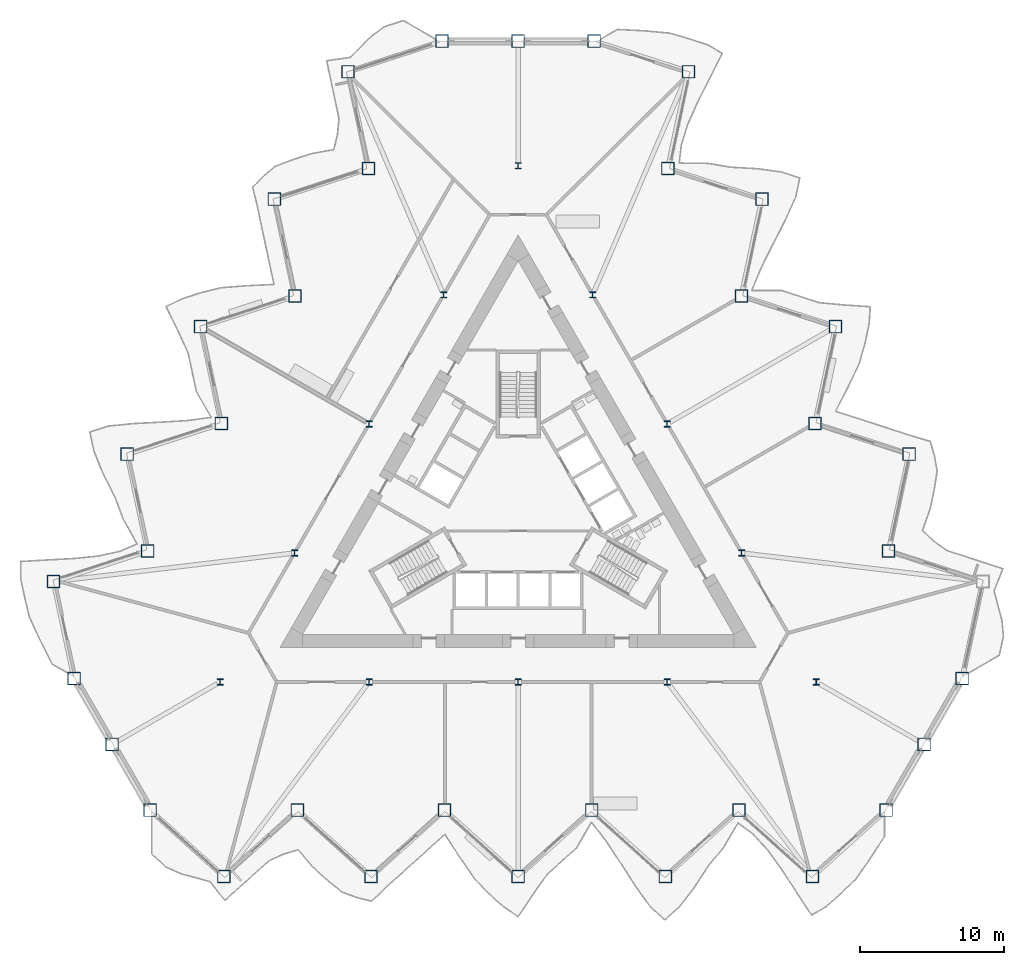
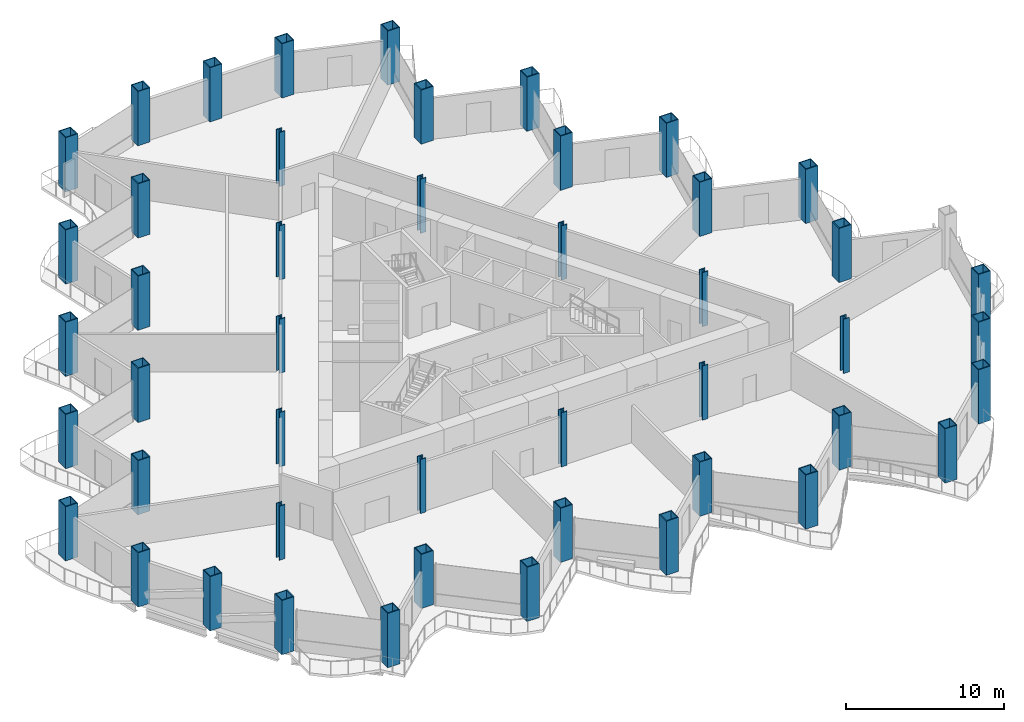
# One storey, part 1 of 21: 47 columns.
"""IFC4 building model written with IfcOpenShell, lengths in metres."""

from ifc_helpers import new_model, si_unit, direction, frame, origin, origin_2d, place, context, subcontext, project, spatial, hollow_rectangle, i_section, extrude, material, material_profile, profile_set, type_object, element, save


model = new_model("IFC4")

# Units and contexts
model_context = context("Model", 3, precision=1e-05, world=origin(), true_north=direction((0.0, 1.0)))
body_context = subcontext(model_context, "Body", "Model", "MODEL_VIEW")
ifc_project = project(units=[si_unit("LENGTHUNIT", "METRE"), si_unit("AREAUNIT", "SQUARE_METRE"), si_unit("VOLUMEUNIT", "CUBIC_METRE"), si_unit("PLANEANGLEUNIT", "RADIAN"), si_unit("MASSUNIT", "GRAM", prefix="KILO")], contexts=[model_context])

# Site, building, storey
site_placement = place(None, origin())
site = spatial("IfcSite", under=ifc_project, at=site_placement, CompositionType="ELEMENT")
building_placement = place(site_placement, origin())
building = spatial("IfcBuilding", under=site, at=building_placement, Name="Cormorant Prow Tower", CompositionType="ELEMENT")
storey_placement = place(building_placement, frame((0.0, 0.0, 150.0)))
storey = spatial("IfcBuildingStorey", under=building, at=storey_placement, Name="L32", CompositionType="ELEMENT", Elevation=150.0)

# Columns
ifc_material_1 = material(Name="Structural steel ASTM A572 Gr 50", Category="steel")
ifc_material_profile_1 = material_profile(ifc_material_1, hollow_rectangle(XDim=0.89990234375, YDim=0.89990234375, WallThickness=0.06005859375, at=origin_2d()), Name="Box 900x900x60")
ifc_profile_set_1 = profile_set([ifc_material_profile_1], Name="Structural steel ASTM A572 Gr 50")
column_type_1 = type_object("IfcColumnType", Name="Perimeter box column 900x900x60", PredefinedType="COLUMN", material=ifc_profile_set_1)
for number, where, z_axis, x_axis, name in (
    (1, (-25.499755859375, -20.80712890625, 0.0), (0.0, 0.0, 1.0), (1.0, 0.0, 0.0), "Perimeter column C3 at S00 L32"),
    (2, (-20.399658203125, -25.399169921875, 0.0), (0.0, 0.0, 1.0), (1.0, 0.0, 0.0), "Perimeter column C3 at S01 L32"),
    (3, (-15.2998046875, -20.80712890625, 0.0), (0.0, 0.0, 1.0), (1.0, 0.0, 0.0), "Perimeter column C3 at S02 L32"),
    (4, (-10.199951171875, -25.399169921875, 0.0), (0.0, 0.0, 1.0), (1.0, 0.0, 0.0), "Perimeter column C3 at S03 L32"),
    (5, (-5.099853515625, -20.80712890625, 0.0), (0.0, 0.0, 1.0), (1.0, 0.0, 0.0), "Perimeter column C3 at S04 L32"),
    (6, (0.0, -25.399169921875, 0.0), (0.0, 0.0, 1.0), (1.0, 0.0, 0.0), "Perimeter column C3 at S05 L32"),
    (7, (5.099853515625, -20.80712890625, 0.0), (0.0, 0.0, 1.0), (1.0, 0.0, 0.0), "Perimeter column C3 at S06 L32"),
    (8, (10.199951171875, -25.399169921875, 0.0), (0.0, 0.0, 1.0), (1.0, 0.0, 0.0), "Perimeter column C3 at S07 L32"),
    (9, (15.2998046875, -20.80712890625, 0.0), (0.0, 0.0, 1.0), (1.0, 0.0, 0.0), "Perimeter column C3 at S08 L32"),
    (10, (20.399658203125, -25.399169921875, 0.0), (0.0, 0.0, 1.0), (1.0, 0.0, 0.0), "Perimeter column C3 at S09 L32"),
    (11, (25.499755859375, -20.80712890625, 0.0), (0.0, 0.0, 1.0), (1.0, 0.0, 0.0), "Perimeter column C3 at ESE00 L32"),
    (12, (28.134521484375, -16.243408203125, 0.0), (0.0, 0.0, 1.0), (1.0, 0.0, 0.0), "Perimeter column C3 at ESE01 L32"),
    (13, (30.769287109375, -11.679931640625, 0.0), (0.0, 0.0, 1.0), (1.0, 0.0, 0.0), "Perimeter column C3 at ENE00 L32"),
    (14, (25.66943359375, -2.846435546875, 0.0), (0.0, 0.0, 1.0), (1.0, 0.0, 0.0), "Perimeter column C3 at ENE02 L32"),
    (15, (27.09619140625, 3.8662109375, 0.0), (0.0, 0.0, 1.0), (1.0, 0.0, 0.0), "Perimeter column C3 at ENE03 L32"),
    (16, (20.569580078125, 5.98681640625, 0.0), (0.0, 0.0, 1.0), (1.0, 0.0, 0.0), "Perimeter column C3 at ENE04 L32"),
    (17, (21.996337890625, 12.699462890625, 0.0), (0.0, 0.0, 1.0), (1.0, 0.0, 0.0), "Perimeter column C3 at ENE05 L32"),
    (18, (15.469482421875, 14.8203125, 0.0), (0.0, 0.0, 1.0), (1.0, 0.0, 0.0), "Perimeter column C3 at ENE06 L32"),
    (19, (16.896240234375, 21.532958984375, 0.0), (0.0, 0.0, 1.0), (1.0, 0.0, 0.0), "Perimeter column C3 at ENE07 L32"),
    (20, (10.36962890625, 23.653564453125, 0.0), (0.0, 0.0, 1.0), (1.0, 0.0, 0.0), "Perimeter column C3 at ENE08 L32"),
    (21, (11.79638671875, 30.3662109375, 0.0), (0.0, 0.0, 1.0), (1.0, 0.0, 0.0), "Perimeter column C3 at ENE09 L32"),
    (22, (5.269775390625, 32.487060546875, 0.0), (0.0, 0.0, 1.0), (1.0, 0.0, 0.0), "Perimeter column C3 at N00 L32"),
    (23, (0.0, 32.487060546875, 0.0), (0.0, 0.0, 1.0), (1.0, 0.0, 0.0), "Perimeter column C3 at N01 L32"),
    (24, (-5.269775390625, 32.487060546875, 0.0), (0.0, 0.0, 1.0), (1.0, 0.0, 0.0), "Perimeter column C3 at WNW00 L32"),
    (25, (-11.79638671875, 30.3662109375, 0.0), (0.0, 0.0, 1.0), (1.0, 0.0, 0.0), "Perimeter column C3 at WNW01 L32"),
    (26, (-10.36962890625, 23.653564453125, 0.0), (0.0, 0.0, 1.0), (1.0, 0.0, 0.0), "Perimeter column C3 at WNW02 L32"),
    (27, (-16.896240234375, 21.532958984375, 0.0), (0.0, 0.0, 1.0), (1.0, 0.0, 0.0), "Perimeter column C3 at WNW03 L32"),
    (28, (-15.469482421875, 14.8203125, 0.0), (0.0, 0.0, 1.0), (1.0, 0.0, 0.0), "Perimeter column C3 at WNW04 L32"),
    (29, (-21.996337890625, 12.699462890625, 0.0), (0.0, 0.0, 1.0), (1.0, 0.0, 0.0), "Perimeter column C3 at WNW05 L32"),
    (30, (-20.569580078125, 5.98681640625, 0.0), (0.0, 0.0, 1.0), (1.0, 0.0, 0.0), "Perimeter column C3 at WNW06 L32"),
    (31, (-27.09619140625, 3.8662109375, 0.0), (0.0, 0.0, 1.0), (1.0, 0.0, 0.0), "Perimeter column C3 at WNW07 L32"),
    (32, (-25.66943359375, -2.846435546875, 0.0), (0.0, 0.0, 1.0), (1.0, 0.0, 0.0), "Perimeter column C3 at WNW08 L32"),
    (33, (-32.1962890625, -4.967041015625, 0.0), (0.0, 0.0, 1.0), (1.0, 0.0, 0.0), "Perimeter column C3 at WNW09 L32"),
    (34, (-30.769287109375, -11.679931640625, 0.0), (0.0, 0.0, 1.0), (1.0, 0.0, 0.0), "Perimeter column C3 at WSW00 L32"),
    (35, (-28.134521484375, -16.243408203125, 0.0), (0.0, 0.0, 1.0), (1.0, 0.0, 0.0), "Perimeter column C3 at WSW01 L32"),
):
    element("IfcColumn", number, at=place(storey_placement, frame(where, z_axis=z_axis, x_axis=x_axis)), inside=storey, type_object=column_type_1, Name=name, PredefinedType="COLUMN", context=body_context, shape_type="SweptSolid", body=[
        extrude(hollow_rectangle(XDim=0.89990234375, YDim=0.89990234375, WallThickness=0.06005859375, at=origin_2d()), origin(), (0.0, 0.0, 1.0), 4.199951171875),
    ])
ifc_material_2 = material(Name="Structural steel ASTM A992 Gr 50", Category="steel")
ifc_material_profile_2 = material_profile(ifc_material_2, i_section(OverallWidth=0.412109375, OverallDepth=0.434814453125, WebThickness=0.035888671875, FlangeThickness=0.057373046875, at=origin_2d()), Name="W14x311")
ifc_profile_set_2 = profile_set([ifc_material_profile_2], Name="Structural steel ASTM A992 Gr 50")
column_type_2 = type_object("IfcColumnType", Name="Ring column W14x311", PredefinedType="COLUMN", material=ifc_profile_set_2)
for number, where, z_axis, x_axis, name in (
    (36, (0.0, 23.8525390625, 0.0), (0.0, 0.0, 1.0), (1.0, 0.0, 0.0), "Ring column 1 L32"),
    (37, (-5.164306640625, 14.907958984375, 0.0), (0.0, 0.0, 1.0), (1.0, 0.0, 0.0), "Ring column 2 L32"),
    (38, (-10.328369140625, 5.963134765625, 0.0), (0.0, 0.0, 1.0), (1.0, 0.0, 0.0), "Ring column 3 L32"),
    (39, (-15.49267578125, -2.981689453125, 0.0), (0.0, 0.0, 1.0), (1.0, 0.0, 0.0), "Ring column 4 L32"),
    (40, (-20.656982421875, -11.92626953125, 0.0), (0.0, 0.0, 1.0), (1.0, 0.0, 0.0), "Ring column 5 L32"),
    (41, (-10.328369140625, -11.92626953125, 0.0), (0.0, 0.0, 1.0), (1.0, 0.0, 0.0), "Ring column 6 L32"),
    (42, (0.0, -11.92626953125, 0.0), (0.0, 0.0, 1.0), (1.0, 0.0, 0.0), "Ring column 7 L32"),
    (43, (10.328369140625, -11.92626953125, 0.0), (0.0, 0.0, 1.0), (1.0, 0.0, 0.0), "Ring column 8 L32"),
    (44, (20.656982421875, -11.92626953125, 0.0), (0.0, 0.0, 1.0), (1.0, 0.0, 0.0), "Ring column 9 L32"),
    (45, (15.49267578125, -2.981689453125, 0.0), (0.0, 0.0, 1.0), (1.0, 0.0, 0.0), "Ring column 10 L32"),
    (46, (10.328369140625, 5.963134765625, 0.0), (0.0, 0.0, 1.0), (1.0, 0.0, 0.0), "Ring column 11 L32"),
    (47, (5.164306640625, 14.907958984375, 0.0), (0.0, 0.0, 1.0), (1.0, 0.0, 0.0), "Ring column 12 L32"),
):
    element("IfcColumn", number, at=place(storey_placement, frame(where, z_axis=z_axis, x_axis=x_axis)), inside=storey, type_object=column_type_2, Name=name, PredefinedType="COLUMN", context=body_context, shape_type="SweptSolid", body=[
        extrude(i_section(OverallWidth=0.412109375, OverallDepth=0.434814453125, WebThickness=0.035888671875, FlangeThickness=0.057373046875, at=origin_2d()), origin(), (0.0, 0.0, 1.0), 4.199951171875),
    ])

save(model, "model.ifc")
